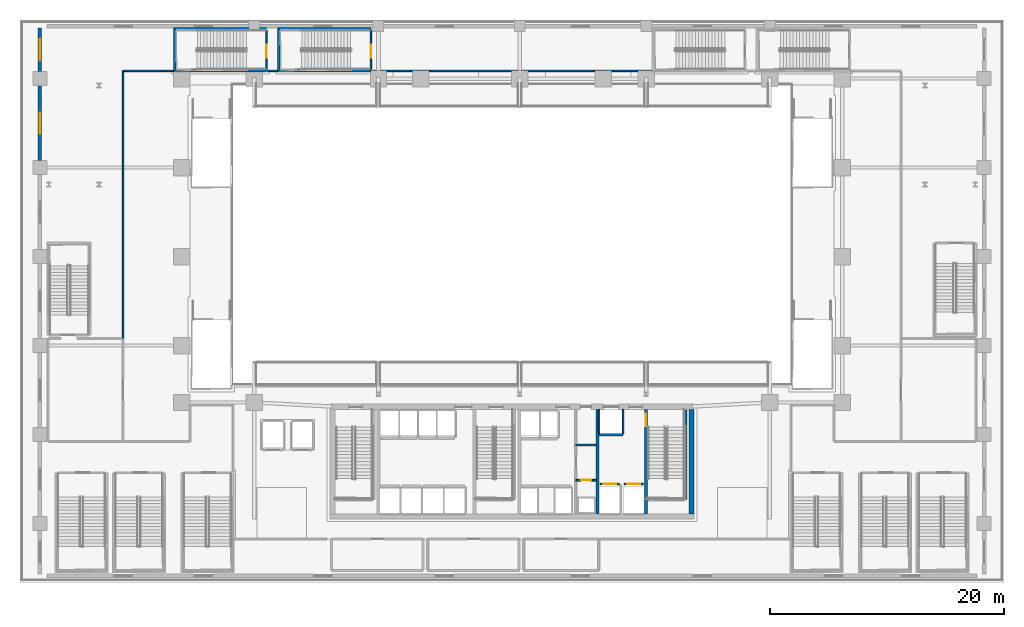
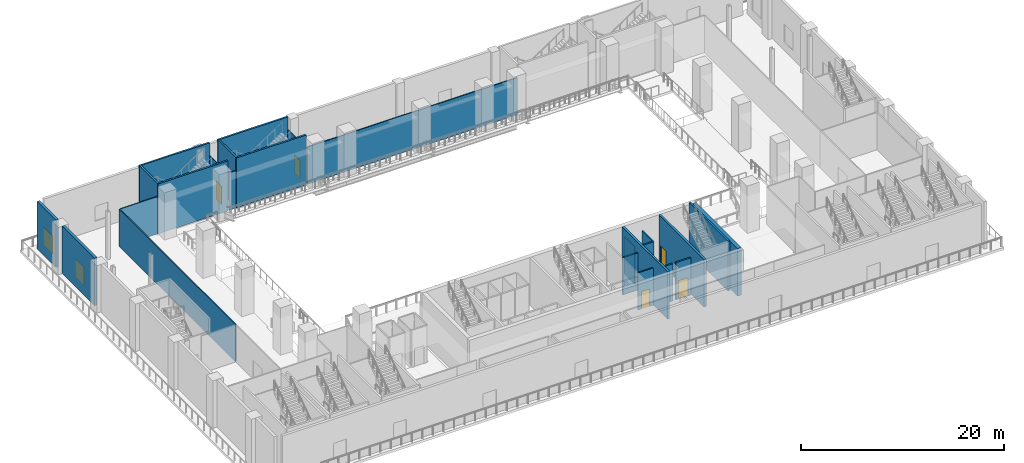
# One storey, part 10 of 28: 25 walls, 6 doors, 2 windows, 8 openings.
"""IFC4 building model written with IfcOpenShell, lengths in metres."""

from ifc_helpers import new_model, si_unit, direction, frame, frame_2d, origin, place, context, subcontext, project, spatial, rectangle, extrude, material, layer, layer_set, type_object, element, fill, save


model = new_model("IFC4")

# Units and contexts
model_context = context("Model", 3, precision=1e-05, world=origin(), true_north=direction((0.0, 1.0)))
body_context = subcontext(model_context, "Body", "Model", "MODEL_VIEW")
ifc_project = project(units=[si_unit("LENGTHUNIT", "METRE"), si_unit("AREAUNIT", "SQUARE_METRE"), si_unit("VOLUMEUNIT", "CUBIC_METRE"), si_unit("PLANEANGLEUNIT", "RADIAN"), si_unit("MASSUNIT", "GRAM", prefix="KILO")], contexts=[model_context])

# Site, building, storey
site_placement = place(None, origin())
site = spatial("IfcSite", under=ifc_project, at=site_placement, CompositionType="ELEMENT")
building_placement = place(site_placement, origin())
building = spatial("IfcBuilding", under=site, at=building_placement, Name="Ndaravel Arena Tower", CompositionType="ELEMENT")
storey_placement = place(building_placement, frame((0.0, 0.0, 18.0)))
storey = spatial("IfcBuildingStorey", under=building, at=storey_placement, Name="L03", CompositionType="ELEMENT", Elevation=18.0)

# Wall, opening, door
ifc_material_1 = material(Name="Gypsum", Category="gypsum")
ifc_layer_1 = layer(ifc_material_1, 0.14990234375)
ifc_layer_set_1 = layer_set([ifc_layer_1], Name="Gypsum")
wall_type_1 = type_object("IfcWallType", Name="WALL-COMP-150", PredefinedType="PARTITIONING", material=ifc_layer_set_1)
wall_1_placement = place(storey_placement, frame((47.449951171875, 8.719970703125, 0.0), z_axis=(0.0, 0.0, 1.0), x_axis=(1.0, 0.0, 0.0)))
wall_1 = element("IfcWall", 1, at=wall_1_placement, inside=storey, type_object=wall_type_1, Name="L03 Core Riser Divider 1", PredefinedType="PARTITIONING", context=body_context, shape_type="SweptSolid", body=[
    extrude(rectangle(XDim=1.72998046875, YDim=0.14990234375, at=frame_2d((0.864990234375, 0.0))), origin(), (0.0, 0.0, 1.0), 4.469970703125),
])
opening_1_placement = place(wall_1_placement, frame((0.39990234375, 0.0, 0.0)))
opening_1 = element("IfcOpeningElement", 2, at=opening_1_placement, cuts=wall_1, Name="Opening RD-01", PredefinedType="OPENING", context=body_context, shape_type="SweptSolid", body=[
    extrude(rectangle(XDim=0.89990234375, YDim=2.10009765625, at=frame_2d((0.449951171875, 1.050048828125))), frame((0.0, 0.074951171875, 0.0), z_axis=(0.0, -1.0, 0.0), x_axis=(1.0, 0.0, 0.0)), (0.0, 0.0, 1.0), 0.14990234375),
])
ifc_material_2 = material(Name="Steel S355", Category="steel")
door_type_1 = type_object("IfcDoorType", Name="DT-08-RISER-900", OperationType="SINGLE_SWING_LEFT", PredefinedType="DOOR", material=ifc_material_2)
door_1_placement = place(opening_1_placement, origin())
door_1 = element("IfcDoor", 3, at=door_1_placement, inside=storey, type_object=door_type_1, Name="L03 Low-Voltage Riser Door", OperationType="SINGLE_SWING_RIGHT", OverallHeight=2.10009765625, OverallWidth=0.89990234375, PredefinedType="DOOR", context=body_context, shape_type="SweptSolid", body=[
    extrude(rectangle(XDim=0.89990234375, YDim=2.10009765625, at=frame_2d((0.449951171875, 1.050048828125))), frame((0.0, 0.02490234375, 0.0), z_axis=(0.0, -1.0, 0.0), x_axis=(1.0, 0.0, 0.0)), (0.0, 0.0, 1.0), 0.050048828125),
])
fill(opening_1, door_1)

# Walls
wall_2_placement = place(storey_placement, frame((47.449951171875, 11.719970703125, 0.0), z_axis=(0.0, 0.0, 1.0), x_axis=(1.0, 0.0, 0.0)))
element("IfcWall", 4, at=wall_2_placement, inside=storey, type_object=wall_type_1, Name="L03 Core Riser Divider 2", PredefinedType="PARTITIONING", context=body_context, shape_type="SweptSolid", body=[
    extrude(rectangle(XDim=1.72998046875, YDim=0.14990234375, at=frame_2d((0.864990234375, 0.0))), origin(), (0.0, 0.0, 1.0), 4.469970703125),
])
ifc_material_3 = material(Name="Concrete C60/75", Category="concrete")
ifc_layer_2 = layer(ifc_material_3, 0.25)
ifc_layer_set_2 = layer_set([ifc_layer_2], Name="Concrete C60/75")
wall_type_2 = type_object("IfcWallType", Name="WALL-CORE-250", PredefinedType="SOLIDWALL", material=ifc_layer_set_2)
wall_3_placement = place(storey_placement, frame((49.300048828125, 5.85009765625, 0.0), z_axis=(0.0, 0.0, 1.0), x_axis=(0.0, 1.0, 0.0)))
element("IfcWall", 5, at=wall_3_placement, inside=storey, type_object=wall_type_2, Name="L03 Core Web Shear Wall 4", PredefinedType="SOLIDWALL", context=body_context, shape_type="SweptSolid", body=[
    extrude(rectangle(XDim=8.89990234375, YDim=0.25, at=frame_2d((4.449951171875, 0.0))), origin(), (0.0, 0.0, 1.0), 5.699951171875),
])

# Wall, opening, door
wall_4_placement = place(storey_placement, frame((53.449951171875, 5.85009765625, 0.0), z_axis=(0.0, 0.0, 1.0), x_axis=(0.0, 1.0, 0.0)))
wall_4 = element("IfcWall", 6, at=wall_4_placement, inside=storey, type_object=wall_type_2, Name="L03 Core Web Shear Wall 5", PredefinedType="SOLIDWALL", context=body_context, shape_type="SweptSolid", body=[
    extrude(rectangle(XDim=8.89990234375, YDim=0.25, at=frame_2d((4.449951171875, 0.0))), origin(), (0.0, 0.0, 1.0), 5.699951171875),
])
opening_2_placement = place(wall_4_placement, frame((7.449951171875, 0.0, 0.0)))
opening_2 = element("IfcOpeningElement", 7, at=opening_2_placement, cuts=wall_4, Name="Opening FD-01", PredefinedType="OPENING", context=body_context, shape_type="SweptSolid", body=[
    extrude(rectangle(XDim=1.10009765625, YDim=2.199951171875, at=frame_2d((0.550048828125, 1.10009765625))), frame((0.0, 0.125, 0.0), z_axis=(0.0, -1.0, 0.0), x_axis=(1.0, 0.0, 0.0)), (0.0, 0.0, 1.0), 0.25),
])
ifc_material_4 = material(Name="Steel S355", Category="steel")
door_type_2 = type_object("IfcDoorType", Name="DT-01-STAIR-1100", OperationType="SINGLE_SWING_LEFT", PredefinedType="DOOR", material=ifc_material_4)
door_2_placement = place(opening_2_placement, origin())
door_2 = element("IfcDoor", 8, at=door_2_placement, inside=storey, type_object=door_type_2, Name="L03 Firefighting Lobby to ST-3 Door", OperationType="SINGLE_SWING_LEFT", OverallHeight=2.199951171875, OverallWidth=1.10009765625, PredefinedType="DOOR", context=body_context, shape_type="SweptSolid", body=[
    extrude(rectangle(XDim=1.10009765625, YDim=2.199951171875, at=frame_2d((0.550048828125, 1.10009765625))), frame((0.0, 0.02490234375, 0.0), z_axis=(0.0, -1.0, 0.0), x_axis=(1.0, 0.0, 0.0)), (0.0, 0.0, 1.0), 0.050048828125),
])
fill(opening_2, door_2)

# Walls
ifc_material_5 = material(Name="Concrete C60/75", Category="concrete")
ifc_layer_3 = layer(ifc_material_5, 0.449951171875)
ifc_layer_set_3 = layer_set([ifc_layer_3], Name="Concrete C60/75")
wall_type_3 = type_object("IfcWallType", Name="WALL-CORE-450", PredefinedType="SOLIDWALL", material=ifc_layer_set_3)
wall_5_placement = place(storey_placement, frame((57.324951171875, 5.85009765625, 0.0), z_axis=(0.0, 0.0, 1.0), x_axis=(0.0, 1.0, 0.0)))
element("IfcWall", 9, at=wall_5_placement, inside=storey, type_object=wall_type_3, Name="L03 Core East Shear Wall", PredefinedType="SOLIDWALL", context=body_context, shape_type="SweptSolid", body=[
    extrude(rectangle(XDim=8.89990234375, YDim=0.449951171875, at=frame_2d((4.449951171875, 0.0))), origin(), (0.0, 0.0, 1.0), 5.699951171875),
])
ifc_material_6 = material(Name="Gypsum", Category="gypsum")
ifc_layer_4 = layer(ifc_material_6, 0.125)
ifc_layer_set_4 = layer_set([ifc_layer_4], Name="Gypsum")
wall_type_4 = type_object("IfcWallType", Name="WALL-PART-125", PredefinedType="PARTITIONING", material=ifc_layer_set_4)
wall_6_placement = place(storey_placement, frame((8.800048828125, 20.800048828125, 0.0), z_axis=(0.0, 0.0, 1.0), x_axis=(0.0, 1.0, 0.0)))
element("IfcWall", 10, at=wall_6_placement, inside=storey, type_object=wall_type_4, Name="L03 Interior Partition 013", PredefinedType="PARTITIONING", context=body_context, shape_type="SweptSolid", body=[
    extrude(rectangle(XDim=22.849853515625, YDim=0.125, at=frame_2d((11.4248046875, 0.0))), origin(), (0.0, 0.0, 1.0), 4.469970703125),
])
wall_7_placement = place(storey_placement, frame((8.864990234375, 43.64990234375, 0.0), z_axis=(0.0, 0.0, 1.0), x_axis=(1.0, 0.0, 0.0)))
element("IfcWall", 11, at=wall_7_placement, inside=storey, type_object=wall_type_4, Name="L03 Interior Partition 014", PredefinedType="PARTITIONING", context=body_context, shape_type="SweptSolid", body=[
    extrude(rectangle(XDim=4.215087890625, YDim=0.125, at=frame_2d((2.107421875, 0.0))), origin(), (0.0, 0.0, 1.0), 4.469970703125),
])
wall_8_placement = place(storey_placement, frame((21.169921875, 43.64990234375, 0.0), z_axis=(0.0, 0.0, 1.0), x_axis=(1.0, 0.0, 0.0)))
element("IfcWall", 12, at=wall_8_placement, inside=storey, type_object=wall_type_4, Name="L03 Interior Partition 015", PredefinedType="PARTITIONING", context=body_context, shape_type="SweptSolid", body=[
    extrude(rectangle(XDim=0.81005859375, YDim=0.125, at=frame_2d((0.405029296875, 0.0))), origin(), (0.0, 0.0, 1.0), 4.469970703125),
])
wall_9_placement = place(storey_placement, frame((30.070068359375, 43.64990234375, 0.0), z_axis=(0.0, 0.0, 1.0), x_axis=(1.0, 0.0, 0.0)))
element("IfcWall", 13, at=wall_9_placement, inside=storey, type_object=wall_type_4, Name="L03 Interior Partition 016", PredefinedType="PARTITIONING", context=body_context, shape_type="SweptSolid", body=[
    extrude(rectangle(XDim=23.85986328125, YDim=0.125, at=frame_2d((11.929931640625, 0.0))), origin(), (0.0, 0.0, 1.0), 4.469970703125),
])

# Wall, opening, window
ifc_material_7 = material(Name="Masonry", Category="masonry")
ifc_layer_5 = layer(ifc_material_7, 0.300048828125)
ifc_layer_set_5 = layer_set([ifc_layer_5], Name="Masonry")
wall_type_5 = type_object("IfcWallType", Name="WALL-POD-MAZERAS-300", PredefinedType="SOLIDWALL", material=ifc_layer_set_5)
wall_10_placement = place(storey_placement, frame((1.699951171875, 36.02001953125, 0.0), z_axis=(0.0, 0.0, 1.0), x_axis=(0.0, 1.0, 0.0)))
wall_10 = element("IfcWall", 14, at=wall_10_placement, inside=storey, type_object=wall_type_5, Name="L03 West Mazeras Bay 6", PredefinedType="SOLIDWALL", context=body_context, shape_type="SweptSolid", body=[
    extrude(rectangle(XDim=6.35986328125, YDim=0.300048828125, at=frame_2d((3.179931640625, 0.0))), origin(), (0.0, 0.0, 1.0), 5.699951171875),
])
opening_3_placement = place(wall_10_placement, frame((2.280029296875, 0.0, 1.0)))
opening_3 = element("IfcOpeningElement", 15, at=opening_3_placement, cuts=wall_10, Name="Opening W-PD2", PredefinedType="OPENING", context=body_context, shape_type="SweptSolid", body=[
    extrude(rectangle(XDim=1.800048828125, YDim=2.199951171875, at=frame_2d((0.89990234375, 1.10009765625))), frame((0.0, 0.14990234375, 0.0), z_axis=(0.0, -1.0, 0.0), x_axis=(1.0, 0.0, 0.0)), (0.0, 0.0, 1.0), 0.300048828125),
])
ifc_material_8 = material(Name="Glazing", Category="glass")
window_type = type_object("IfcWindowType", Name="WIN-POD-1800", PartitioningType="SINGLE_PANEL", PredefinedType="WINDOW", material=ifc_material_8)
window_1_placement = place(opening_3_placement, origin())
window_1 = element("IfcWindow", 16, at=window_1_placement, inside=storey, type_object=window_type, Name="L03 West Mazeras Window 6", OverallHeight=2.199951171875, OverallWidth=1.800048828125, PartitioningType="SINGLE_PANEL", PredefinedType="WINDOW", context=body_context, shape_type="SweptSolid", body=[
    extrude(rectangle(XDim=1.800048828125, YDim=2.199951171875, at=frame_2d((0.89990234375, 1.10009765625))), frame((0.0, 0.030029296875, 0.0), z_axis=(0.0, -1.0, 0.0), x_axis=(1.0, 0.0, 0.0)), (0.0, 0.0, 1.0), 0.06005859375),
])
fill(opening_3, window_1)

wall_11_placement = place(storey_placement, frame((1.699951171875, 43.60009765625, 0.0), z_axis=(0.0, 0.0, 1.0), x_axis=(0.0, 1.0, 0.0)))
wall_11 = element("IfcWall", 17, at=wall_11_placement, inside=storey, type_object=wall_type_5, Name="L03 West Mazeras Bay 7", PredefinedType="SOLIDWALL", context=body_context, shape_type="SweptSolid", body=[
    extrude(rectangle(XDim=3.699951171875, YDim=0.300048828125, at=frame_2d((1.85009765625, 0.0))), origin(), (0.0, 0.0, 1.0), 5.699951171875),
])
opening_4_placement = place(wall_11_placement, frame((0.949951171875, 0.0, 1.0)))
opening_4 = element("IfcOpeningElement", 18, at=opening_4_placement, cuts=wall_11, Name="Opening W-PD2", PredefinedType="OPENING", context=body_context, shape_type="SweptSolid", body=[
    extrude(rectangle(XDim=1.800048828125, YDim=2.199951171875, at=frame_2d((0.89990234375, 1.10009765625))), frame((0.0, 0.14990234375, 0.0), z_axis=(0.0, -1.0, 0.0), x_axis=(1.0, 0.0, 0.0)), (0.0, 0.0, 1.0), 0.300048828125),
])
window_2_placement = place(opening_4_placement, origin())
window_2 = element("IfcWindow", 19, at=window_2_placement, inside=storey, type_object=window_type, Name="L03 West Mazeras Window 7", OverallHeight=2.199951171875, OverallWidth=1.800048828125, PartitioningType="SINGLE_PANEL", PredefinedType="WINDOW", context=body_context, shape_type="SweptSolid", body=[
    extrude(rectangle(XDim=1.800048828125, YDim=2.199951171875, at=frame_2d((0.89990234375, 1.10009765625))), frame((0.0, 0.030029296875, 0.0), z_axis=(0.0, -1.0, 0.0), x_axis=(1.0, 0.0, 0.0)), (0.0, 0.0, 1.0), 0.06005859375),
])
fill(opening_4, window_2)

# Wall, opening, door
ifc_material_9 = material(Name="Concrete C40/50", Category="concrete")
ifc_layer_6 = layer(ifc_material_9, 0.1201171875)
ifc_layer_set_6 = layer_set([ifc_layer_6], Name="Concrete C40/50")
wall_type_6 = type_object("IfcWallType", Name="WALL-SHAFT-120", PredefinedType="SOLIDWALL", material=ifc_layer_set_6)
wall_12_placement = place(storey_placement, frame((21.050048828125, 47.135009765625, 0.0), z_axis=(0.0, 0.0, 1.0), x_axis=(0.0, -1.0, 0.0)))
wall_12 = element("IfcWall", 20, at=wall_12_placement, inside=storey, type_object=wall_type_6, Name="L03 ST-A08 Entry Wall", PredefinedType="SOLIDWALL", context=body_context, shape_type="SweptSolid", body=[
    extrude(rectangle(XDim=3.3701171875, YDim=0.1201171875, at=frame_2d((1.68505859375, 0.0))), origin(), (0.0, 0.0, 1.0), 4.469970703125),
])
opening_5_placement = place(wall_12_placement, frame((1.239990234375, 0.0, 0.0)))
opening_5 = element("IfcOpeningElement", 21, at=opening_5_placement, cuts=wall_12, Name="Opening FD-01", PredefinedType="OPENING", context=body_context, shape_type="SweptSolid", body=[
    extrude(rectangle(XDim=1.10009765625, YDim=2.199951171875, at=frame_2d((0.550048828125, 1.10009765625))), frame((0.0, 0.06005859375, 0.0), z_axis=(0.0, -1.0, 0.0), x_axis=(1.0, 0.0, 0.0)), (0.0, 0.0, 1.0), 0.1201171875),
])
door_3_placement = place(opening_5_placement, origin())
door_3 = element("IfcDoor", 22, at=door_3_placement, inside=storey, type_object=door_type_2, Name="L03 ST-A08 Fire Exit Stair Door", OperationType="SINGLE_SWING_RIGHT", OverallHeight=2.199951171875, OverallWidth=1.10009765625, PredefinedType="DOOR", context=body_context, shape_type="SweptSolid", body=[
    extrude(rectangle(XDim=1.10009765625, YDim=2.199951171875, at=frame_2d((0.550048828125, 1.10009765625))), frame((0.0, 0.02490234375, 0.0), z_axis=(0.0, -1.0, 0.0), x_axis=(1.0, 0.0, 0.0)), (0.0, 0.0, 1.0), 0.050048828125),
])
fill(opening_5, door_3)

wall_13_placement = place(storey_placement, frame((29.949951171875, 47.135009765625, 0.0), z_axis=(0.0, 0.0, 1.0), x_axis=(0.0, -1.0, 0.0)))
wall_13 = element("IfcWall", 23, at=wall_13_placement, inside=storey, type_object=wall_type_6, Name="L03 ST-A09 Entry Wall", PredefinedType="SOLIDWALL", context=body_context, shape_type="SweptSolid", body=[
    extrude(rectangle(XDim=3.3701171875, YDim=0.1201171875, at=frame_2d((1.68505859375, 0.0))), origin(), (0.0, 0.0, 1.0), 4.469970703125),
])
opening_6_placement = place(wall_13_placement, frame((1.239990234375, 0.0, 0.0)))
opening_6 = element("IfcOpeningElement", 24, at=opening_6_placement, cuts=wall_13, Name="Opening FD-01", PredefinedType="OPENING", context=body_context, shape_type="SweptSolid", body=[
    extrude(rectangle(XDim=1.10009765625, YDim=2.199951171875, at=frame_2d((0.550048828125, 1.10009765625))), frame((0.0, 0.06005859375, 0.0), z_axis=(0.0, -1.0, 0.0), x_axis=(1.0, 0.0, 0.0)), (0.0, 0.0, 1.0), 0.1201171875),
])
door_4_placement = place(opening_6_placement, origin())
door_4 = element("IfcDoor", 25, at=door_4_placement, inside=storey, type_object=door_type_2, Name="L03 ST-A09 Fire Exit Stair Door", OperationType="SINGLE_SWING_RIGHT", OverallHeight=2.199951171875, OverallWidth=1.10009765625, PredefinedType="DOOR", context=body_context, shape_type="SweptSolid", body=[
    extrude(rectangle(XDim=1.10009765625, YDim=2.199951171875, at=frame_2d((0.550048828125, 1.10009765625))), frame((0.0, 0.02490234375, 0.0), z_axis=(0.0, -1.0, 0.0), x_axis=(1.0, 0.0, 0.0)), (0.0, 0.0, 1.0), 0.050048828125),
])
fill(opening_6, door_4)

# Walls
for number, where, z_axis, x_axis, name in (
    (26, (49.43994140625, 12.68994140625, 0.0), (0.0, 0.0, 1.0), (0.0, 1.0, 0.0), "L03 SVL-1 Shaft W Wall"),
    (27, (51.47998046875, 12.68994140625, 0.0), (0.0, 0.0, 1.0), (0.0, 1.0, 0.0), "L03 SVL-1 Shaft E Wall"),
):
    element("IfcWall", number, at=place(storey_placement, frame(where, z_axis=z_axis, x_axis=x_axis)), inside=storey, type_object=wall_type_6, Name=name, PredefinedType="SOLIDWALL", context=body_context, shape_type="SweptSolid", body=[
        extrude(rectangle(XDim=2.070068359375, YDim=0.1201171875, at=frame_2d((1.03515625, 0.0))), origin(), (0.0, 0.0, 1.0), 4.469970703125),
    ])
ifc_material_10 = material(Name="Concrete C40/50", Category="concrete")
ifc_layer_7 = layer(ifc_material_10, 0.199951171875)
ifc_layer_set_7 = layer_set([ifc_layer_7], Name="Concrete C40/50")
wall_type_7 = type_object("IfcWallType", Name="WALL-SHAFT-200", PredefinedType="SOLIDWALL", material=ifc_layer_set_7)
wall_14_placement = place(storey_placement, frame((56.840087890625, 14.699951171875, 0.0), z_axis=(0.0, 0.0, 1.0), x_axis=(0.0, -1.0, 0.0)))
element("IfcWall", 28, at=wall_14_placement, inside=storey, type_object=wall_type_7, Name="L03 ST-3 Structural Shaft Wall Right", PredefinedType="SOLIDWALL", context=body_context, shape_type="SweptSolid", body=[
    extrude(rectangle(XDim=7.64990234375, YDim=0.199951171875, at=frame_2d((3.824951171875, 0.0))), origin(), (0.0, 0.0, 1.0), 6.0),
])
for number, where, z_axis, x_axis, name in (
    (29, (21.050048828125, 47.239990234375, 0.0), (0.0, 0.0, 1.0), (-1.0, 0.0, 0.0), "L03 ST-A08 Shaft Wall Left"),
    (30, (21.050048828125, 43.659912109375, 0.0), (0.0, 0.0, 1.0), (-1.0, 0.0, 0.0), "L03 ST-A08 Shaft Wall Right"),
):
    element("IfcWall", number, at=place(storey_placement, frame(where, z_axis=z_axis, x_axis=x_axis)), inside=storey, type_object=wall_type_7, Name=name, PredefinedType="SOLIDWALL", context=body_context, shape_type="SweptSolid", body=[
        extrude(rectangle(XDim=7.949951171875, YDim=0.199951171875, at=frame_2d((3.97509765625, 0.0))), origin(), (0.0, 0.0, 1.0), 6.0),
    ])
wall_15_placement = place(storey_placement, frame((13.199951171875, 47.22998046875, 0.0), z_axis=(0.0, 0.0, 1.0), x_axis=(0.0, -1.0, 0.0)))
element("IfcWall", 31, at=wall_15_placement, inside=storey, type_object=wall_type_7, Name="L03 ST-A08 Shaft Wall Far", PredefinedType="SOLIDWALL", context=body_context, shape_type="SweptSolid", body=[
    extrude(rectangle(XDim=3.56005859375, YDim=0.199951171875, at=frame_2d((1.780029296875, 0.0))), origin(), (0.0, 0.0, 1.0), 6.0),
])
for number, where, z_axis, x_axis, name in (
    (32, (29.949951171875, 47.239990234375, 0.0), (0.0, 0.0, 1.0), (-1.0, 0.0, 0.0), "L03 ST-A09 Shaft Wall Left"),
    (33, (29.949951171875, 43.659912109375, 0.0), (0.0, 0.0, 1.0), (-1.0, 0.0, 0.0), "L03 ST-A09 Shaft Wall Right"),
):
    element("IfcWall", number, at=place(storey_placement, frame(where, z_axis=z_axis, x_axis=x_axis)), inside=storey, type_object=wall_type_7, Name=name, PredefinedType="SOLIDWALL", context=body_context, shape_type="SweptSolid", body=[
        extrude(rectangle(XDim=7.949951171875, YDim=0.199951171875, at=frame_2d((3.97509765625, 0.0))), origin(), (0.0, 0.0, 1.0), 6.0),
    ])
wall_16_placement = place(storey_placement, frame((22.10009765625, 47.22998046875, 0.0), z_axis=(0.0, 0.0, 1.0), x_axis=(0.0, -1.0, 0.0)))
element("IfcWall", 34, at=wall_16_placement, inside=storey, type_object=wall_type_7, Name="L03 ST-A09 Shaft Wall Far", PredefinedType="SOLIDWALL", context=body_context, shape_type="SweptSolid", body=[
    extrude(rectangle(XDim=3.56005859375, YDim=0.199951171875, at=frame_2d((1.780029296875, 0.0))), origin(), (0.0, 0.0, 1.0), 6.0),
])

# Wall, opening, door
wall_17_placement = place(storey_placement, frame((49.5048828125, 8.39990234375, 0.0), z_axis=(0.0, 0.0, 1.0), x_axis=(1.0, 0.0, 0.0)))
wall_17 = element("IfcWall", 35, at=wall_17_placement, inside=storey, type_object=wall_type_7, Name="L03 FFL-1 Shaft Landing Wall", PredefinedType="SOLIDWALL", context=body_context, shape_type="SweptSolid", body=[
    extrude(rectangle(XDim=1.690185546875, YDim=0.179931640625, at=frame_2d((0.84521484375, 0.0))), origin(), (0.0, 0.0, 1.0), 4.469970703125),
])
opening_7_placement = place(wall_17_placement, frame((0.294921875, 0.0, 0.0)))
opening_7 = element("IfcOpeningElement", 36, at=opening_7_placement, cuts=wall_17, Name="Opening LD-01", PredefinedType="OPENING", context=body_context, shape_type="SweptSolid", body=[
    extrude(rectangle(XDim=1.10009765625, YDim=2.199951171875, at=frame_2d((0.550048828125, 1.10009765625))), frame((0.0, 0.08984375, 0.0), z_axis=(0.0, -1.0, 0.0), x_axis=(1.0, 0.0, 0.0)), (0.0, 0.0, 1.0), 0.179931640625),
])
ifc_material_11 = material(Name="Steel S355", Category="steel")
door_type_3 = type_object("IfcDoorType", Name="DT-06-LIFT-1100", OperationType="SLIDING_TO_LEFT", PredefinedType="DOOR", material=ifc_material_11)
door_5_placement = place(opening_7_placement, origin())
door_5 = element("IfcDoor", 37, at=door_5_placement, inside=storey, type_object=door_type_3, Name="L03 Lift FFL-1 Sliding Landing Door", OperationType="SLIDING_TO_LEFT", OverallHeight=2.199951171875, OverallWidth=1.10009765625, PredefinedType="DOOR", context=body_context, shape_type="SweptSolid", body=[
    extrude(rectangle(XDim=1.10009765625, YDim=2.199951171875, at=frame_2d((0.550048828125, 1.10009765625))), frame((0.0, 0.02490234375, 0.0), z_axis=(0.0, -1.0, 0.0), x_axis=(1.0, 0.0, 0.0)), (0.0, 0.0, 1.0), 0.050048828125),
])
fill(opening_7, door_5)

wall_18_placement = place(storey_placement, frame((51.554931640625, 8.39990234375, 0.0), z_axis=(0.0, 0.0, 1.0), x_axis=(1.0, 0.0, 0.0)))
wall_18 = element("IfcWall", 38, at=wall_18_placement, inside=storey, type_object=wall_type_7, Name="L03 FFL-2 Shaft Landing Wall", PredefinedType="SOLIDWALL", context=body_context, shape_type="SweptSolid", body=[
    extrude(rectangle(XDim=1.690185546875, YDim=0.179931640625, at=frame_2d((0.84521484375, 0.0))), origin(), (0.0, 0.0, 1.0), 4.469970703125),
])
opening_8_placement = place(wall_18_placement, frame((0.294921875, 0.0, 0.0)))
opening_8 = element("IfcOpeningElement", 39, at=opening_8_placement, cuts=wall_18, Name="Opening LD-01", PredefinedType="OPENING", context=body_context, shape_type="SweptSolid", body=[
    extrude(rectangle(XDim=1.10009765625, YDim=2.199951171875, at=frame_2d((0.550048828125, 1.10009765625))), frame((0.0, 0.08984375, 0.0), z_axis=(0.0, -1.0, 0.0), x_axis=(1.0, 0.0, 0.0)), (0.0, 0.0, 1.0), 0.179931640625),
])
door_6_placement = place(opening_8_placement, origin())
door_6 = element("IfcDoor", 40, at=door_6_placement, inside=storey, type_object=door_type_3, Name="L03 Lift FFL-2 Sliding Landing Door", OperationType="SLIDING_TO_LEFT", OverallHeight=2.199951171875, OverallWidth=1.10009765625, PredefinedType="DOOR", context=body_context, shape_type="SweptSolid", body=[
    extrude(rectangle(XDim=1.10009765625, YDim=2.199951171875, at=frame_2d((0.550048828125, 1.10009765625))), frame((0.0, 0.02490234375, 0.0), z_axis=(0.0, -1.0, 0.0), x_axis=(1.0, 0.0, 0.0)), (0.0, 0.0, 1.0), 0.050048828125),
])
fill(opening_8, door_6)

# Wall
wall_19_placement = place(storey_placement, frame((49.43994140625, 12.594970703125, 0.0), z_axis=(0.0, 0.0, 1.0), x_axis=(1.0, 0.0, 0.0)))
element("IfcWall", 41, at=wall_19_placement, inside=storey, type_object=wall_type_7, Name="L03 SVL-1 Shaft South Wall", PredefinedType="SOLIDWALL", context=body_context, shape_type="SweptSolid", body=[
    extrude(rectangle(XDim=2.0400390625, YDim=0.179931640625, at=frame_2d((1.02001953125, 0.0))), origin(), (0.0, 0.0, 1.0), 4.469970703125),
])

save(model, "model.ifc")
